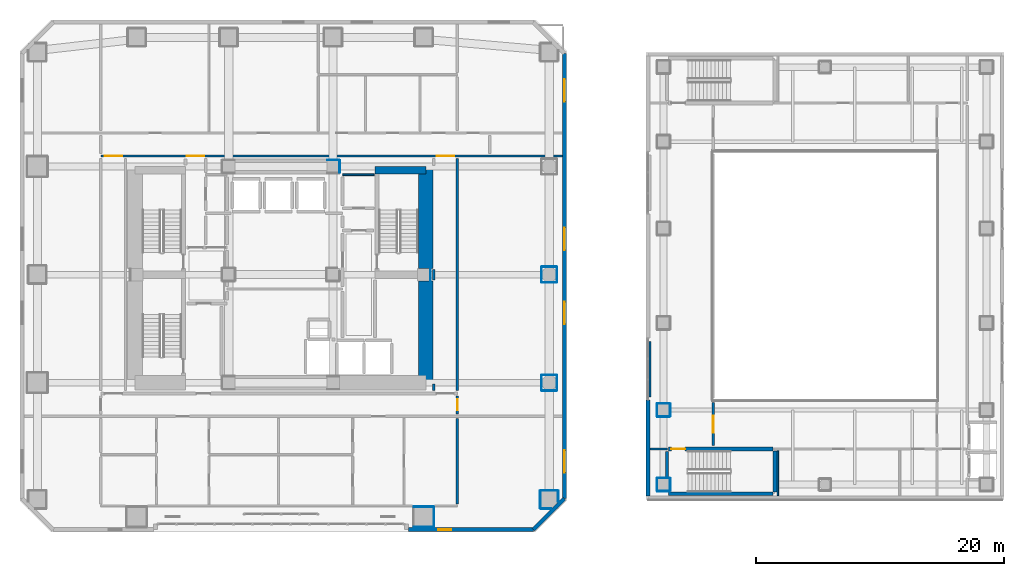
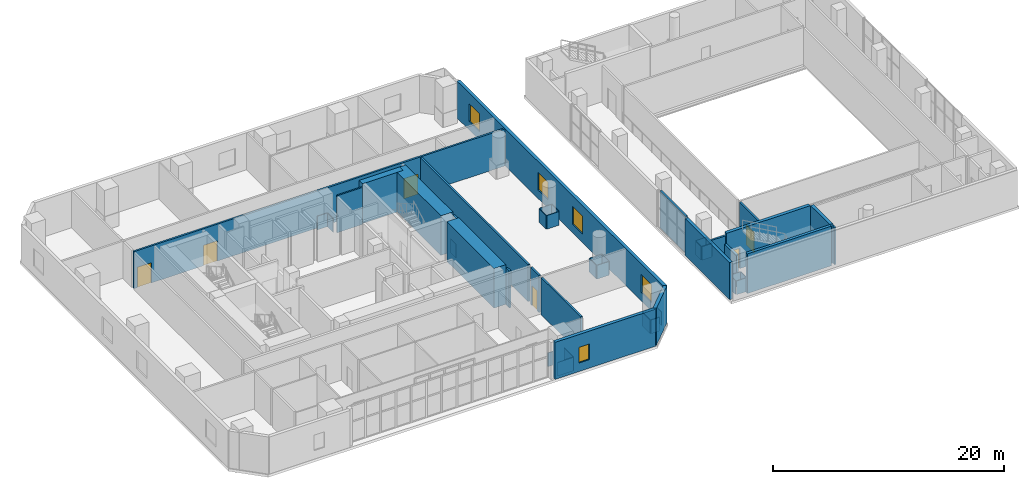
# One storey, part 18 of 24: 48 walls, 6 doors, 5 windows, 11 openings.
"""IFC4 building model written with IfcOpenShell, lengths in metres."""

from ifc_helpers import new_model, si_unit, direction, frame, frame_2d, origin, place, context, subcontext, project, spatial, rectangle, extrude, material, layer, layer_set, type_object, element, fill, save


model = new_model("IFC4")

# Units and contexts
model_context = context("Model", 3, precision=1e-05, world=origin(), true_north=direction((0.0, 1.0)))
body_context = subcontext(model_context, "Body", "Model", "MODEL_VIEW")
ifc_project = project(units=[si_unit("LENGTHUNIT", "METRE"), si_unit("AREAUNIT", "SQUARE_METRE"), si_unit("VOLUMEUNIT", "CUBIC_METRE"), si_unit("PLANEANGLEUNIT", "RADIAN"), si_unit("MASSUNIT", "GRAM", prefix="KILO")], contexts=[model_context])

# Site, building, storey
site_placement = place(None, origin())
site = spatial("IfcSite", under=ifc_project, at=site_placement, CompositionType="ELEMENT")
building_placement = place(site_placement, origin())
building = spatial("IfcBuilding", under=site, at=building_placement, Name="Solanera Arch Residences", CompositionType="ELEMENT")
storey_placement = place(building_placement, frame((0.0, 0.0, 5.199951171875)))
storey = spatial("IfcBuildingStorey", under=building, at=storey_placement, Name="L01", CompositionType="ELEMENT", Elevation=5.199951171875)

# Walls
ifc_material_1 = material(Name="Fire-Rated Gypsum Stud Partition", Category="gypsum")
ifc_layer_1 = layer(ifc_material_1, 0.06005859375)
ifc_layer_set_1 = layer_set([ifc_layer_1], Name="Fire-Rated Gypsum Stud Partition")
wall_type_1 = type_object("IfcWallType", Name="Column Acoustic Furring Wall 60", PredefinedType="PARTITIONING", material=ifc_layer_set_1)
wall_1_placement = place(storey_placement, frame((28.7099609375, 39.931884765625, 0.0), z_axis=(0.0, 0.0, 1.0), x_axis=(1.0, 0.0, 0.0)))
element("IfcWall", 1, at=wall_1_placement, inside=storey, type_object=wall_type_1, Name="L01 Column Furring 4N", PredefinedType="PARTITIONING", context=body_context, shape_type="SweptSolid", body=[
    extrude(rectangle(XDim=0.989990234375, YDim=0.06005859375, at=frame_2d((0.4951171875, 0.0))), origin(), (0.0, 0.0, 1.0), 1.449951171875),
])
wall_2_placement = place(storey_placement, frame((29.73193359375, 38.89990234375, 0.0), z_axis=(0.0, 0.0, 1.0), x_axis=(0.0, 1.0, 0.0)))
element("IfcWall", 2, at=wall_2_placement, inside=storey, type_object=wall_type_1, Name="L01 Column Furring 4E", PredefinedType="PARTITIONING", context=body_context, shape_type="SweptSolid", body=[
    extrude(rectangle(XDim=1.0, YDim=0.06005859375, at=frame_2d((0.5, 0.0))), origin(), (0.0, 0.0, 1.0), 1.449951171875),
])
wall_3_placement = place(storey_placement, frame((37.031982421875, 30.2099609375, 0.0), z_axis=(0.0, 0.0, 1.0), x_axis=(0.0, 1.0, 0.0)))
element("IfcWall", 3, at=wall_3_placement, inside=storey, type_object=wall_type_1, Name="L01 Column Furring 6E", PredefinedType="PARTITIONING", context=body_context, shape_type="SweptSolid", body=[
    extrude(rectangle(XDim=0.97998046875, YDim=0.06005859375, at=frame_2d((0.489990234375, 0.0))), origin(), (0.0, 0.0, 1.0), 1.449951171875),
])
for number, where, z_axis, x_axis, name in (
    (4, (35.699951171875, 10.367919921875, 0.0), (0.0, 0.0, 1.0), (1.0, 0.0, 0.0), "L01 Column Furring 10S"),
    (5, (35.699951171875, 12.031982421875, 0.0), (0.0, 0.0, 1.0), (1.0, 0.0, 0.0), "L01 Column Furring 10N"),
    (6, (37.33203125, 10.39990234375, 0.0), (0.0, 0.0, 1.0), (0.0, 1.0, 0.0), "L01 Column Furring 10E"),
):
    element("IfcWall", number, at=place(storey_placement, frame(where, z_axis=z_axis, x_axis=x_axis)), inside=storey, type_object=wall_type_1, Name=name, PredefinedType="PARTITIONING", context=body_context, shape_type="SweptSolid", body=[
        extrude(rectangle(XDim=1.60009765625, YDim=0.06005859375, at=frame_2d((0.800048828125, 0.0))), origin(), (0.0, 0.0, 1.0), 1.449951171875),
    ])
for number, where, z_axis, x_axis, name in (
    (7, (46.0, 21.367919921875, 0.0), (0.0, 0.0, 1.0), (1.0, 0.0, 0.0), "L01 Column Furring 18S"),
    (8, (46.0, 22.632080078125, 0.0), (0.0, 0.0, 1.0), (1.0, 0.0, 0.0), "L01 Column Furring 18N"),
):
    element("IfcWall", number, at=place(storey_placement, frame(where, z_axis=z_axis, x_axis=x_axis)), inside=storey, type_object=wall_type_1, Name=name, PredefinedType="PARTITIONING", context=body_context, shape_type="SweptSolid", body=[
        extrude(rectangle(XDim=1.199951171875, YDim=0.06005859375, at=frame_2d((0.60009765625, 0.0))), origin(), (0.0, 0.0, 1.0), 1.449951171875),
    ])
for number, where, z_axis, x_axis, name in (
    (9, (45.968017578125, 21.39990234375, 0.0), (0.0, 0.0, 1.0), (0.0, 1.0, 0.0), "L01 Column Furring 18W"),
    (10, (47.23193359375, 21.39990234375, 0.0), (0.0, 0.0, 1.0), (0.0, 1.0, 0.0), "L01 Column Furring 18E"),
):
    element("IfcWall", number, at=place(storey_placement, frame(where, z_axis=z_axis, x_axis=x_axis)), inside=storey, type_object=wall_type_1, Name=name, PredefinedType="PARTITIONING", context=body_context, shape_type="SweptSolid", body=[
        extrude(rectangle(XDim=1.2001953125, YDim=0.06005859375, at=frame_2d((0.60009765625, 0.0))), origin(), (0.0, 0.0, 1.0), 1.449951171875),
    ])
for number, where, z_axis, x_axis, name in (
    (11, (46.0, 30.068115234375, 0.0), (0.0, 0.0, 1.0), (1.0, 0.0, 0.0), "L01 Column Furring 19S"),
    (12, (46.0, 31.33203125, 0.0), (0.0, 0.0, 1.0), (1.0, 0.0, 0.0), "L01 Column Furring 19N"),
    (13, (45.968017578125, 30.10009765625, 0.0), (0.0, 0.0, 1.0), (0.0, 1.0, 0.0), "L01 Column Furring 19W"),
    (14, (47.23193359375, 30.10009765625, 0.0), (0.0, 0.0, 1.0), (0.0, 1.0, 0.0), "L01 Column Furring 19E"),
):
    element("IfcWall", number, at=place(storey_placement, frame(where, z_axis=z_axis, x_axis=x_axis)), inside=storey, type_object=wall_type_1, Name=name, PredefinedType="PARTITIONING", context=body_context, shape_type="SweptSolid", body=[
        extrude(rectangle(XDim=1.199951171875, YDim=0.06005859375, at=frame_2d((0.60009765625, 0.0))), origin(), (0.0, 0.0, 1.0), 1.449951171875),
    ])
wall_4_placement = place(storey_placement, frame((45.89990234375, 11.867919921875, 0.0), z_axis=(0.0, 0.0, 1.0), x_axis=(1.0, 0.0, 0.0)))
element("IfcWall", 15, at=wall_4_placement, inside=storey, type_object=wall_type_1, Name="L01 Column Furring 22S", PredefinedType="PARTITIONING", context=body_context, shape_type="SweptSolid", body=[
    extrude(rectangle(XDim=0.861083984375, YDim=0.06005859375, at=frame_2d((0.4306640625, 0.0))), origin(), (0.0, 0.0, 1.0), 1.449951171875),
])
for number, where, z_axis, x_axis, name in (
    (16, (45.89990234375, 13.33203125, 0.0), (0.0, 0.0, 1.0), (1.0, 0.0, 0.0), "L01 Column Furring 22N"),
    (17, (45.867919921875, 11.89990234375, 0.0), (0.0, 0.0, 1.0), (0.0, 1.0, 0.0), "L01 Column Furring 22W"),
):
    element("IfcWall", number, at=place(storey_placement, frame(where, z_axis=z_axis, x_axis=x_axis)), inside=storey, type_object=wall_type_1, Name=name, PredefinedType="PARTITIONING", context=body_context, shape_type="SweptSolid", body=[
        extrude(rectangle(XDim=1.400146484375, YDim=0.06005859375, at=frame_2d((0.7001953125, 0.0))), origin(), (0.0, 0.0, 1.0), 1.449951171875),
    ])
wall_5_placement = place(storey_placement, frame((47.33203125, 12.43896484375, 0.0), z_axis=(0.0, 0.0, 1.0), x_axis=(0.0, 1.0, 0.0)))
element("IfcWall", 18, at=wall_5_placement, inside=storey, type_object=wall_type_1, Name="L01 Column Furring 22E", PredefinedType="PARTITIONING", context=body_context, shape_type="SweptSolid", body=[
    extrude(rectangle(XDim=0.861083984375, YDim=0.06005859375, at=frame_2d((0.4306640625, 0.0))), origin(), (0.0, 0.0, 1.0), 1.449951171875),
])
for number, where, z_axis, x_axis, name in (
    (19, (55.300048828125, 13.26806640625, 0.0), (0.0, 0.0, 1.0), (1.0, 0.0, 0.0), "L01 Column Furring 25S"),
    (20, (55.300048828125, 14.33203125, 0.0), (0.0, 0.0, 1.0), (1.0, 0.0, 0.0), "L01 Column Furring 25N"),
    (21, (55.26806640625, 13.300048828125, 0.0), (0.0, 0.0, 1.0), (0.0, 1.0, 0.0), "L01 Column Furring 25W"),
    (22, (56.33203125, 13.300048828125, 0.0), (0.0, 0.0, 1.0), (0.0, 1.0, 0.0), "L01 Column Furring 25E"),
    (23, (55.300048828125, 19.26806640625, 0.0), (0.0, 0.0, 1.0), (1.0, 0.0, 0.0), "L01 Column Furring 26S"),
    (24, (55.300048828125, 20.33203125, 0.0), (0.0, 0.0, 1.0), (1.0, 0.0, 0.0), "L01 Column Furring 26N"),
    (25, (55.26806640625, 19.300048828125, 0.0), (0.0, 0.0, 1.0), (0.0, 1.0, 0.0), "L01 Column Furring 26W"),
    (26, (56.33203125, 19.300048828125, 0.0), (0.0, 0.0, 1.0), (0.0, 1.0, 0.0), "L01 Column Furring 26E"),
):
    element("IfcWall", number, at=place(storey_placement, frame(where, z_axis=z_axis, x_axis=x_axis)), inside=storey, type_object=wall_type_1, Name=name, PredefinedType="PARTITIONING", context=body_context, shape_type="SweptSolid", body=[
        extrude(rectangle(XDim=1.0, YDim=0.06005859375, at=frame_2d((0.5, 0.0))), origin(), (0.0, 0.0, 1.0), 1.449951171875),
    ])
ifc_material_2 = material(Name="Concrete C55/67 (f'c = 60 MPa)", Category="concrete")
ifc_layer_2 = layer(ifc_material_2, 1.199951171875)
ifc_layer_set_2 = layer_set([ifc_layer_2], Name="Concrete C55/67 (f'c = 60 MPa)")
wall_type_2 = type_object("IfcWallType", Name="Core Shear Wall CW-1200", PredefinedType="SHEAR", material=ifc_layer_set_2)
wall_6_placement = place(storey_placement, frame((36.659912109375, 22.0, 0.0), z_axis=(0.0, 0.0, 1.0), x_axis=(0.0, 1.0, 0.0)))
element("IfcWall", 27, at=wall_6_placement, inside=storey, type_object=wall_type_2, Name="L01 East Core South Shear Wall", PredefinedType="SHEAR", context=body_context, shape_type="SweptSolid", body=[
    extrude(rectangle(XDim=8.195068359375, YDim=1.199951171875, at=frame_2d((4.09765625, 0.0))), origin(), (0.0, 0.0, 1.0), 4.199951171875),
])
wall_7_placement = place(storey_placement, frame((36.659912109375, 31.205078125, 0.0), z_axis=(0.0, 0.0, 1.0), x_axis=(0.0, 1.0, 0.0)))
element("IfcWall", 28, at=wall_7_placement, inside=storey, type_object=wall_type_2, Name="L01 East Core North Shear Wall", PredefinedType="SHEAR", context=body_context, shape_type="SweptSolid", body=[
    extrude(rectangle(XDim=8.19482421875, YDim=1.199951171875, at=frame_2d((4.097412109375, 0.0))), origin(), (0.0, 0.0, 1.0), 4.199951171875),
])
ifc_material_3 = material(Name="Concrete C40/50 (f'c = 45 MPa)", Category="concrete")
ifc_layer_3 = layer(ifc_material_3, 0.320068359375)
ifc_layer_set_3 = layer_set([ifc_layer_3], Name="Concrete C40/50 (f'c = 45 MPa)")
wall_type_3 = type_object("IfcWallType", Name="Core Shear Wall CW-320", PredefinedType="SHEAR", material=ifc_layer_set_3)
wall_8_placement = place(storey_placement, frame((64.760009765625, 13.199951171875, 0.0), z_axis=(0.0, 0.0, 1.0), x_axis=(0.0, 1.0, 0.0)))
element("IfcWall", 29, at=wall_8_placement, inside=storey, type_object=wall_type_3, Name="L01 Stair ST-H1 East Shear Wall", PredefinedType="SHEAR", context=body_context, shape_type="SweptSolid", body=[
    extrude(rectangle(XDim=3.320068359375, YDim=0.320068359375, at=frame_2d((1.66015625, 0.0))), origin(), (0.0, 0.0, 1.0), 4.199951171875),
])
wall_9_placement = place(storey_placement, frame((56.199951171875, 13.06005859375, 0.0), z_axis=(0.0, 0.0, 1.0), x_axis=(1.0, 0.0, 0.0)))
element("IfcWall", 30, at=wall_9_placement, inside=storey, type_object=wall_type_3, Name="L01 Stair ST-H1 South Shear Wall", PredefinedType="SHEAR", context=body_context, shape_type="SweptSolid", body=[
    extrude(rectangle(XDim=8.400146484375, YDim=0.280029296875, at=frame_2d((4.2001953125, 0.0))), origin(), (0.0, 0.0, 1.0), 4.199951171875),
])

# Wall, opening, door
wall_10_placement = place(storey_placement, frame((56.199951171875, 16.679931640625, 0.0), z_axis=(0.0, 0.0, 1.0), x_axis=(1.0, 0.0, 0.0)))
wall_10 = element("IfcWall", 31, at=wall_10_placement, inside=storey, type_object=wall_type_3, Name="L01 Stair ST-H1 North Shear Wall", PredefinedType="SHEAR", context=body_context, shape_type="SweptSolid", body=[
    extrude(rectangle(XDim=8.400146484375, YDim=0.320068359375, at=frame_2d((4.2001953125, 0.0))), origin(), (0.0, 0.0, 1.0), 4.199951171875),
])
opening_1_placement = place(wall_10_placement, frame((0.22998046875, 0.0, 0.0)))
opening_1 = element("IfcOpeningElement", 32, at=opening_1_placement, cuts=wall_10, Name="Opening DF-01", PredefinedType="OPENING", context=body_context, shape_type="SweptSolid", body=[
    extrude(rectangle(XDim=1.10009765625, YDim=2.14990234375, at=frame_2d((0.550048828125, 1.074951171875))), frame((0.0, 0.169921875, 0.0), z_axis=(0.0, -1.0, 0.0), x_axis=(1.0, 0.0, 0.0)), (0.0, 0.0, 1.0), 0.3401),
])
ifc_material_4 = material(Name="Fire-Rated Architectural Hardwood", Category="wood")
door_type_1 = type_object("IfcDoorType", Name="Stair Exit Fire Door DF-01", OperationType="NOTDEFINED", PredefinedType="DOOR", material=ifc_material_4)
door_1_placement = place(opening_1_placement, origin())
door_1 = element("IfcDoor", 33, at=door_1_placement, inside=storey, type_object=door_type_1, Name="DR-L01-STAIR-ST-H1", OperationType="SINGLE_SWING_LEFT", OverallHeight=2.14990234375, OverallWidth=1.10009765625, PredefinedType="DOOR", context=body_context, shape_type="SweptSolid", body=[
    extrude(rectangle(XDim=1.10009765625, YDim=2.14990234375, at=frame_2d((0.550048828125, 1.074951171875))), frame((0.0, 0.02490234375, 0.0), z_axis=(0.0, -1.0, 0.0), x_axis=(1.0, 0.0, 0.0)), (0.0, 0.0, 1.0), 0.050048828125),
])
fill(opening_1, door_1)

# Walls
ifc_material_5 = material(Name="Concrete C40/50 (f'c = 45 MPa)", Category="concrete")
ifc_layer_4 = layer(ifc_material_5, 0.60009765625)
ifc_layer_set_4 = layer_set([ifc_layer_4], Name="Concrete C40/50 (f'c = 45 MPa)")
wall_type_4 = type_object("IfcWallType", Name="Core Shear Wall CW-600", PredefinedType="SHEAR", material=ifc_layer_set_4)
wall_11_placement = place(storey_placement, frame((32.580078125, 39.10009765625, 0.0), z_axis=(0.0, 0.0, 1.0), x_axis=(1.0, 0.0, 0.0)))
element("IfcWall", 34, at=wall_11_placement, inside=storey, type_object=wall_type_4, Name="L01 North-East Core Shear Wall", PredefinedType="SHEAR", context=body_context, shape_type="SweptSolid", body=[
    extrude(rectangle(XDim=4.079833984375, YDim=0.60009765625, at=frame_2d((2.0400390625, 0.0))), origin(), (0.0, 0.0, 1.0), 4.199951171875),
])
ifc_material_6 = material(Name="Autoclaved Aerated Concrete Blockwork", Category="masonry")
ifc_layer_5 = layer(ifc_material_6, 0.179931640625)
ifc_layer_set_5 = layer_set([ifc_layer_5], Name="Autoclaved Aerated Concrete Blockwork")
wall_type_5 = type_object("IfcWallType", Name="Corridor Fire Partition 180", PredefinedType="PARTITIONING", material=ifc_layer_set_5)
wall_12_placement = place(storey_placement, frame((54.7119140625, 16.679931640625, 0.0), z_axis=(0.0, 0.0, 1.0), x_axis=(1.0, 0.0, 0.0)))
element("IfcWall", 35, at=wall_12_placement, inside=storey, type_object=wall_type_5, Name="L01 Interior Partition H8 1", PredefinedType="PARTITIONING", context=body_context, shape_type="SweptSolid", body=[
    extrude(rectangle(XDim=1.38818359375, YDim=0.179931640625, at=frame_2d((0.694091796875, 0.0))), origin(), (0.0, 0.0, 1.0), 3.920166015625),
])

# Wall, openings, doors
wall_13_placement = place(storey_placement, frame((10.5, 40.25, 0.0), z_axis=(0.0, 0.0, 1.0), x_axis=(1.0, 0.0, 0.0)))
wall_13 = element("IfcWall", 36, at=wall_13_placement, inside=storey, type_object=wall_type_5, Name="L01 Interior Partition H13", PredefinedType="PARTITIONING", context=body_context, shape_type="SweptSolid", body=[
    extrude(rectangle(XDim=37.14794921875, YDim=0.179931640625, at=frame_2d((18.573974609375, 0.0))), origin(), (0.0, 0.0, 1.0), 3.920166015625),
])
opening_2_placement = place(wall_13_placement, frame((6.93505859375, 0.0, 0.0)))
opening_2 = element("IfcOpeningElement", 37, at=opening_2_placement, cuts=wall_13, Name="Opening DF-03", PredefinedType="OPENING", context=body_context, shape_type="SweptSolid", body=[
    extrude(rectangle(XDim=1.39990234375, YDim=2.14990234375, at=frame_2d((0.699951171875, 1.074951171875))), frame((0.0, 0.10009765625, 0.0), z_axis=(0.0, -1.0, 0.0), x_axis=(1.0, 0.0, 0.0)), (0.0, 0.0, 1.0), 0.1999),
])
opening_3_placement = place(wall_13_placement, frame((0.323974609375, 0.0, 0.0)))
opening_3 = element("IfcOpeningElement", 38, at=opening_3_placement, cuts=wall_13, Name="Opening DF-03", PredefinedType="OPENING", context=body_context, shape_type="SweptSolid", body=[
    extrude(rectangle(XDim=1.39990234375, YDim=2.14990234375, at=frame_2d((0.699951171875, 1.074951171875))), frame((0.0, 0.10009765625, 0.0), z_axis=(0.0, -1.0, 0.0), x_axis=(1.0, 0.0, 0.0)), (0.0, 0.0, 1.0), 0.1999),
])
opening_4_placement = place(wall_13_placement, frame((27.050048828125, 0.0, 0.0)))
opening_4 = element("IfcOpeningElement", 39, at=opening_4_placement, cuts=wall_13, Name="Opening DF-03", PredefinedType="OPENING", context=body_context, shape_type="SweptSolid", body=[
    extrude(rectangle(XDim=1.39990234375, YDim=2.14990234375, at=frame_2d((0.699951171875, 1.074951171875))), frame((0.0, 0.10009765625, 0.0), z_axis=(0.0, -1.0, 0.0), x_axis=(1.0, 0.0, 0.0)), (0.0, 0.0, 1.0), 0.1999),
])
ifc_material_7 = material(Name="Fire-Rated Architectural Hardwood", Category="wood")
door_type_2 = type_object("IfcDoorType", Name="Corridor Smoke Door DF-03", OperationType="NOTDEFINED", PredefinedType="DOOR", material=ifc_material_7)
door_2_placement = place(opening_2_placement, origin())
door_2 = element("IfcDoor", 40, at=door_2_placement, inside=storey, type_object=door_type_2, Name="DR-L01-IN-013", OperationType="SINGLE_SWING_RIGHT", OverallHeight=2.14990234375, OverallWidth=1.39990234375, PredefinedType="DOOR", context=body_context, shape_type="SweptSolid", body=[
    extrude(rectangle(XDim=1.39990234375, YDim=2.14990234375, at=frame_2d((0.699951171875, 1.074951171875))), frame((0.0, 0.02490234375, 0.0), z_axis=(0.0, -1.0, 0.0), x_axis=(1.0, 0.0, 0.0)), (0.0, 0.0, 1.0), 0.050048828125),
])
fill(opening_2, door_2)
door_3_placement = place(opening_3_placement, origin())
door_3 = element("IfcDoor", 41, at=door_3_placement, inside=storey, type_object=door_type_2, Name="DR-L01-IN-016", OperationType="SINGLE_SWING_LEFT", OverallHeight=2.14990234375, OverallWidth=1.39990234375, PredefinedType="DOOR", context=body_context, shape_type="SweptSolid", body=[
    extrude(rectangle(XDim=1.39990234375, YDim=2.14990234375, at=frame_2d((0.699951171875, 1.074951171875))), frame((0.0, 0.02490234375, 0.0), z_axis=(0.0, -1.0, 0.0), x_axis=(1.0, 0.0, 0.0)), (0.0, 0.0, 1.0), 0.050048828125),
])
fill(opening_3, door_3)
door_4_placement = place(opening_4_placement, origin())
door_4 = element("IfcDoor", 42, at=door_4_placement, inside=storey, type_object=door_type_2, Name="DR-L01-IN-017", OperationType="SINGLE_SWING_RIGHT", OverallHeight=2.14990234375, OverallWidth=1.39990234375, PredefinedType="DOOR", context=body_context, shape_type="SweptSolid", body=[
    extrude(rectangle(XDim=1.39990234375, YDim=2.14990234375, at=frame_2d((0.699951171875, 1.074951171875))), frame((0.0, 0.02490234375, 0.0), z_axis=(0.0, -1.0, 0.0), x_axis=(1.0, 0.0, 0.0)), (0.0, 0.0, 1.0), 0.050048828125),
])
fill(opening_4, door_4)

# Walls
wall_14_placement = place(storey_placement, frame((37.300048828125, 21.367919921875, 0.0), z_axis=(0.0, 0.0, 1.0), x_axis=(0.0, 1.0, 0.0)))
element("IfcWall", 43, at=wall_14_placement, inside=storey, type_object=wall_type_5, Name="L01 Interior Partition V9 1", PredefinedType="PARTITIONING", context=body_context, shape_type="SweptSolid", body=[
    extrude(rectangle(XDim=0.5400390625, YDim=0.179931640625, at=frame_2d((0.27001953125, 0.0))), origin(), (0.0, 0.0, 1.0), 3.920166015625),
])
wall_15_placement = place(storey_placement, frame((37.300048828125, 30.287109375, 0.0), z_axis=(0.0, 0.0, 1.0), x_axis=(0.0, 1.0, 0.0)))
element("IfcWall", 44, at=wall_15_placement, inside=storey, type_object=wall_type_5, Name="L01 Interior Partition V9 2", PredefinedType="PARTITIONING", context=body_context, shape_type="SweptSolid", body=[
    extrude(rectangle(XDim=0.825927734375, YDim=0.179931640625, at=frame_2d((0.4130859375, 0.0))), origin(), (0.0, 0.0, 1.0), 3.920166015625),
])
wall_16_placement = place(storey_placement, frame((39.199951171875, 12.258056640625, 0.0), z_axis=(0.0, 0.0, 1.0), x_axis=(0.0, 1.0, 0.0)))
element("IfcWall", 45, at=wall_16_placement, inside=storey, type_object=wall_type_5, Name="L01 Interior Partition V10 1", PredefinedType="PARTITIONING", context=body_context, shape_type="SweptSolid", body=[
    extrude(rectangle(XDim=6.85400390625, YDim=0.179931640625, at=frame_2d((3.427001953125, 0.0))), origin(), (0.0, 0.0, 1.0), 3.920166015625),
])

# Wall, opening, door
wall_17_placement = place(storey_placement, frame((39.199951171875, 19.488037109375, 0.0), z_axis=(0.0, 0.0, 1.0), x_axis=(0.0, 1.0, 0.0)))
wall_17 = element("IfcWall", 46, at=wall_17_placement, inside=storey, type_object=wall_type_5, Name="L01 Interior Partition V10 2", PredefinedType="PARTITIONING", context=body_context, shape_type="SweptSolid", body=[
    extrude(rectangle(XDim=1.44384765625, YDim=0.179931640625, at=frame_2d((0.721923828125, 0.0))), origin(), (0.0, 0.0, 1.0), 3.920166015625),
])
opening_5_placement = place(wall_17_placement, frame((0.301025390625, 0.0, 0.0)))
opening_5 = element("IfcOpeningElement", 47, at=opening_5_placement, cuts=wall_17, Name="Opening DI-02", PredefinedType="OPENING", context=body_context, shape_type="SweptSolid", body=[
    extrude(rectangle(XDim=0.89990234375, YDim=2.10009765625, at=frame_2d((0.449951171875, 1.050048828125))), frame((0.0, 0.10009765625, 0.0), z_axis=(0.0, -1.0, 0.0), x_axis=(1.0, 0.0, 0.0)), (0.0, 0.0, 1.0), 0.1999),
])
ifc_material_8 = material(Name="Fire-Rated Architectural Hardwood", Category="wood")
door_type_3 = type_object("IfcDoorType", Name="Suite Room Swing Door DI-02", OperationType="NOTDEFINED", PredefinedType="DOOR", material=ifc_material_8)
door_5_placement = place(opening_5_placement, origin())
door_5 = element("IfcDoor", 48, at=door_5_placement, inside=storey, type_object=door_type_3, Name="DR-L01-IN-029", OperationType="SINGLE_SWING_RIGHT", OverallHeight=2.10009765625, OverallWidth=0.89990234375, PredefinedType="DOOR", context=body_context, shape_type="SweptSolid", body=[
    extrude(rectangle(XDim=0.89990234375, YDim=2.10009765625, at=frame_2d((0.449951171875, 1.050048828125))), frame((0.0, 0.02490234375, 0.0), z_axis=(0.0, -1.0, 0.0), x_axis=(1.0, 0.0, 0.0)), (0.0, 0.0, 1.0), 0.050048828125),
])
fill(opening_5, door_5)

# Walls
wall_18_placement = place(storey_placement, frame((39.199951171875, 21.367919921875, 0.0), z_axis=(0.0, 0.0, 1.0), x_axis=(0.0, 1.0, 0.0)))
element("IfcWall", 49, at=wall_18_placement, inside=storey, type_object=wall_type_5, Name="L01 Interior Partition V10 3", PredefinedType="PARTITIONING", context=body_context, shape_type="SweptSolid", body=[
    extrude(rectangle(XDim=18.694091796875, YDim=0.179931640625, at=frame_2d((9.34716796875, 0.0))), origin(), (0.0, 0.0, 1.0), 3.920166015625),
])
wall_19_placement = place(storey_placement, frame((54.699951171875, 20.8701171875, 0.0), z_axis=(0.0, 0.0, 1.0), x_axis=(0.0, 1.0, 0.0)))
element("IfcWall", 50, at=wall_19_placement, inside=storey, type_object=wall_type_5, Name="L01 Interior Partition V13 1", PredefinedType="PARTITIONING", context=body_context, shape_type="SweptSolid", body=[
    extrude(rectangle(XDim=4.4599609375, YDim=0.179931640625, at=frame_2d((2.22998046875, 0.0))), origin(), (0.0, 0.0, 1.0), 3.920166015625),
])

# Wall, opening, door
wall_20_placement = place(storey_placement, frame((59.800048828125, 16.93994140625, 0.0), z_axis=(0.0, 0.0, 1.0), x_axis=(0.0, 1.0, 0.0)))
wall_20 = element("IfcWall", 51, at=wall_20_placement, inside=storey, type_object=wall_type_5, Name="L01 Interior Partition V14 1", PredefinedType="PARTITIONING", context=body_context, shape_type="SweptSolid", body=[
    extrude(rectangle(XDim=3.47216796875, YDim=0.179931640625, at=frame_2d((1.736083984375, 0.0))), origin(), (0.0, 0.0, 1.0), 3.920166015625),
])
opening_6_placement = place(wall_20_placement, frame((1.02392578125, 0.0, 0.0)))
opening_6 = element("IfcOpeningElement", 52, at=opening_6_placement, cuts=wall_20, Name="Opening DF-03", PredefinedType="OPENING", context=body_context, shape_type="SweptSolid", body=[
    extrude(rectangle(XDim=1.39990234375, YDim=2.14990234375, at=frame_2d((0.699951171875, 1.074951171875))), frame((0.0, 0.10009765625, 0.0), z_axis=(0.0, -1.0, 0.0), x_axis=(1.0, 0.0, 0.0)), (0.0, 0.0, 1.0), 0.1999),
])
door_6_placement = place(opening_6_placement, origin())
door_6 = element("IfcDoor", 53, at=door_6_placement, inside=storey, type_object=door_type_2, Name="DR-L01-IN-018", OperationType="SINGLE_SWING_LEFT", OverallHeight=2.14990234375, OverallWidth=1.39990234375, PredefinedType="DOOR", context=body_context, shape_type="SweptSolid", body=[
    extrude(rectangle(XDim=1.39990234375, YDim=2.14990234375, at=frame_2d((0.699951171875, 1.074951171875))), frame((0.0, 0.02490234375, 0.0), z_axis=(0.0, -1.0, 0.0), x_axis=(1.0, 0.0, 0.0)), (0.0, 0.0, 1.0), 0.050048828125),
])
fill(opening_6, door_6)

# Wall
ifc_material_9 = material(Name="Precast Concrete C35/45", Category="concrete")
ifc_layer_6 = layer(ifc_material_9, 0.300048828125)
ifc_layer_set_6 = layer_set([ifc_layer_6], Name="Precast Concrete C35/45")
wall_type_6 = type_object("IfcWallType", Name="Exterior Wall Precast Masonry-Frame 300", PredefinedType="STANDARD", material=ifc_layer_set_6)
wall_21_placement = place(storey_placement, frame((54.550048828125, 12.89990234375, 0.0), z_axis=(0.0, 0.0, 1.0), x_axis=(0.0, 1.0, 0.0)))
element("IfcWall", 54, at=wall_21_placement, inside=storey, type_object=wall_type_6, Name="L01 Sports Hall West Pier 1", PredefinedType="STANDARD", context=body_context, shape_type="SweptSolid", body=[
    extrude(rectangle(XDim=7.7001953125, YDim=0.300048828125, at=frame_2d((3.85009765625, 0.0))), origin(), (0.0, 0.0, 1.0), 3.920166015625),
])

# Wall, openings, windows
ifc_material_10 = material(Name="Precast Concrete C35/45", Category="concrete")
ifc_layer_7 = layer(ifc_material_10, 0.320068359375)
ifc_layer_set_7 = layer_set([ifc_layer_7], Name="Precast Concrete C35/45")
wall_type_7 = type_object("IfcWallType", Name="Exterior Wall Precast Masonry-Frame 320", PredefinedType="STANDARD", material=ifc_layer_set_7)
wall_22_placement = place(storey_placement, frame((47.820068359375, 48.52001953125, 0.0), z_axis=(0.0, 0.0, 1.0), x_axis=(0.0, -1.0, 0.0)))
wall_22 = element("IfcWall", 55, at=wall_22_placement, inside=storey, type_object=wall_type_7, Name="L01 Podium Precast Masonry-Frame Wall 5", PredefinedType="STANDARD", context=body_context, shape_type="SweptSolid", body=[
    extrude(rectangle(XDim=35.840087890625, YDim=0.320068359375, at=frame_2d((17.919921875, 0.0))), origin(), (0.0, 0.0, 1.0), 3.920166015625),
])
opening_7_placement = place(wall_22_placement, frame((2.0869140625, 0.0, 0.89990234375)))
opening_7 = element("IfcOpeningElement", 56, at=opening_7_placement, cuts=wall_22, Name="Opening W-03", PredefinedType="OPENING", context=body_context, shape_type="SweptSolid", body=[
    extrude(rectangle(XDim=1.800048828125, YDim=1.89990234375, at=frame_2d((0.89990234375, 0.949951171875))), frame((0.0, 0.169921875, 0.0), z_axis=(0.0, -1.0, 0.0), x_axis=(1.0, 0.0, 0.0)), (0.0, 0.0, 1.0), 0.3401),
])
opening_8_placement = place(wall_22_placement, frame((14.032958984375, 0.0, 0.89990234375)))
opening_8 = element("IfcOpeningElement", 57, at=opening_8_placement, cuts=wall_22, Name="Opening W-03", PredefinedType="OPENING", context=body_context, shape_type="SweptSolid", body=[
    extrude(rectangle(XDim=1.800048828125, YDim=1.89990234375, at=frame_2d((0.89990234375, 0.949951171875))), frame((0.0, 0.169921875, 0.0), z_axis=(0.0, -1.0, 0.0), x_axis=(1.0, 0.0, 0.0)), (0.0, 0.0, 1.0), 0.3401),
])
opening_9_placement = place(wall_22_placement, frame((20.007080078125, 0.0, 0.89990234375)))
opening_9 = element("IfcOpeningElement", 58, at=opening_9_placement, cuts=wall_22, Name="Opening W-03", PredefinedType="OPENING", context=body_context, shape_type="SweptSolid", body=[
    extrude(rectangle(XDim=1.800048828125, YDim=1.89990234375, at=frame_2d((0.89990234375, 0.949951171875))), frame((0.0, 0.169921875, 0.0), z_axis=(0.0, -1.0, 0.0), x_axis=(1.0, 0.0, 0.0)), (0.0, 0.0, 1.0), 0.3401),
])
opening_10_placement = place(wall_22_placement, frame((31.952880859375, 0.0, 0.89990234375)))
opening_10 = element("IfcOpeningElement", 59, at=opening_10_placement, cuts=wall_22, Name="Opening W-03", PredefinedType="OPENING", context=body_context, shape_type="SweptSolid", body=[
    extrude(rectangle(XDim=1.800048828125, YDim=1.89990234375, at=frame_2d((0.89990234375, 0.949951171875))), frame((0.0, 0.169921875, 0.0), z_axis=(0.0, -1.0, 0.0), x_axis=(1.0, 0.0, 0.0)), (0.0, 0.0, 1.0), 0.3401),
])
ifc_material_11 = material(Name="Double Glazed Low-E Laminated Glass", Category="glass")
window_type_1 = type_object("IfcWindowType", Name="Punched Window W-03", PartitioningType="DOUBLE_PANEL_VERTICAL", PredefinedType="WINDOW", material=ifc_material_11)
window_1_placement = place(opening_7_placement, origin())
window_1 = element("IfcWindow", 60, at=window_1_placement, inside=storey, type_object=window_type_1, Name="L01 Podium Window 5.1", OverallHeight=1.89990234375, OverallWidth=1.800048828125, PartitioningType="SINGLE_PANEL", PredefinedType="WINDOW", context=body_context, shape_type="SweptSolid", body=[
    extrude(rectangle(XDim=1.800048828125, YDim=1.89990234375, at=frame_2d((0.89990234375, 0.949951171875))), frame((0.0, 0.030029296875, 0.0), z_axis=(0.0, -1.0, 0.0), x_axis=(1.0, 0.0, 0.0)), (0.0, 0.0, 1.0), 0.06005859375),
])
fill(opening_7, window_1)
window_2_placement = place(opening_8_placement, origin())
window_2 = element("IfcWindow", 61, at=window_2_placement, inside=storey, type_object=window_type_1, Name="L01 Podium Window 5.3", OverallHeight=1.89990234375, OverallWidth=1.800048828125, PartitioningType="SINGLE_PANEL", PredefinedType="WINDOW", context=body_context, shape_type="SweptSolid", body=[
    extrude(rectangle(XDim=1.800048828125, YDim=1.89990234375, at=frame_2d((0.89990234375, 0.949951171875))), frame((0.0, 0.030029296875, 0.0), z_axis=(0.0, -1.0, 0.0), x_axis=(1.0, 0.0, 0.0)), (0.0, 0.0, 1.0), 0.06005859375),
])
fill(opening_8, window_2)
window_3_placement = place(opening_9_placement, origin())
window_3 = element("IfcWindow", 62, at=window_3_placement, inside=storey, type_object=window_type_1, Name="L01 Podium Window 5.4", OverallHeight=1.89990234375, OverallWidth=1.800048828125, PartitioningType="SINGLE_PANEL", PredefinedType="WINDOW", context=body_context, shape_type="SweptSolid", body=[
    extrude(rectangle(XDim=1.800048828125, YDim=1.89990234375, at=frame_2d((0.89990234375, 0.949951171875))), frame((0.0, 0.030029296875, 0.0), z_axis=(0.0, -1.0, 0.0), x_axis=(1.0, 0.0, 0.0)), (0.0, 0.0, 1.0), 0.06005859375),
])
fill(opening_9, window_3)
window_4_placement = place(opening_10_placement, origin())
window_4 = element("IfcWindow", 63, at=window_4_placement, inside=storey, type_object=window_type_1, Name="L01 Podium Window 5.6", OverallHeight=1.89990234375, OverallWidth=1.800048828125, PartitioningType="SINGLE_PANEL", PredefinedType="WINDOW", context=body_context, shape_type="SweptSolid", body=[
    extrude(rectangle(XDim=1.800048828125, YDim=1.89990234375, at=frame_2d((0.89990234375, 0.949951171875))), frame((0.0, 0.030029296875, 0.0), z_axis=(0.0, -1.0, 0.0), x_axis=(1.0, 0.0, 0.0)), (0.0, 0.0, 1.0), 0.06005859375),
])
fill(opening_10, window_4)

# Wall
wall_23_placement = place(storey_placement, frame((47.820068359375, 12.679931640625, 0.0), z_axis=(0.0, 0.0, 1.0), x_axis=(-0.707106781187, -0.707106781187, 0.0)))
element("IfcWall", 64, at=wall_23_placement, inside=storey, type_object=wall_type_7, Name="L01 Podium Precast Masonry-Frame Wall 6", PredefinedType="STANDARD", context=body_context, shape_type="SweptSolid", body=[
    extrude(rectangle(XDim=3.53564453125, YDim=0.320068359375, at=frame_2d((1.767822265625, 0.0))), origin(), (0.0, 0.0, 1.0), 3.920166015625),
])

# Wall, opening, window
wall_24_placement = place(storey_placement, frame((45.320068359375, 10.179931640625, 0.0), z_axis=(0.0, 0.0, 1.0), x_axis=(-1.0, 0.0, 0.0)))
wall_24 = element("IfcWall", 65, at=wall_24_placement, inside=storey, type_object=wall_type_7, Name="L01 Podium South-East Precast Pier Wall", PredefinedType="STANDARD", context=body_context, shape_type="SweptSolid", body=[
    extrude(rectangle(XDim=10.06005859375, YDim=0.320068359375, at=frame_2d((5.030029296875, 0.0))), origin(), (0.0, 0.0, 1.0), 3.920166015625),
])
opening_11_placement = place(wall_24_placement, frame((6.6201171875, 0.0, 0.89990234375)))
opening_11 = element("IfcOpeningElement", 66, at=opening_11_placement, cuts=wall_24, Name="Opening W-07", PredefinedType="OPENING", context=body_context, shape_type="SweptSolid", body=[
    extrude(rectangle(XDim=1.050048828125, YDim=1.64990234375, at=frame_2d((0.52490234375, 0.824951171875))), frame((0.0, 0.169921875, 0.0), z_axis=(0.0, -1.0, 0.0), x_axis=(1.0, 0.0, 0.0)), (0.0, 0.0, 1.0), 0.3401),
])
ifc_material_12 = material(Name="Double Glazed Low-E Laminated Glass", Category="glass")
window_type_2 = type_object("IfcWindowType", Name="Punched Window W-07", PartitioningType="SINGLE_PANEL", PredefinedType="WINDOW", material=ifc_material_12)
window_5_placement = place(opening_11_placement, origin())
window_5 = element("IfcWindow", 67, at=window_5_placement, inside=storey, type_object=window_type_2, Name="L01 Podium South-East Bedroom Window", OverallHeight=1.64990234375, OverallWidth=1.050048828125, PartitioningType="SINGLE_PANEL", PredefinedType="WINDOW", context=body_context, shape_type="SweptSolid", body=[
    extrude(rectangle(XDim=1.050048828125, YDim=1.64990234375, at=frame_2d((0.52490234375, 0.824951171875))), frame((0.0, 0.030029296875, 0.0), z_axis=(0.0, -1.0, 0.0), x_axis=(1.0, 0.0, 0.0)), (0.0, 0.0, 1.0), 0.06005859375),
])
fill(opening_11, window_5)

# Walls
ifc_material_13 = material(Name="Autoclaved Aerated Concrete Blockwork", Category="masonry")
ifc_layer_8 = layer(ifc_material_13, 0.239990234375)
ifc_layer_set_8 = layer_set([ifc_layer_8], Name="Autoclaved Aerated Concrete Blockwork")
wall_type_8 = type_object("IfcWallType", Name="Shaft Wall Fire-Rated 240", PredefinedType="PARTITIONING", material=ifc_layer_set_8)
wall_25_placement = place(storey_placement, frame((56.080078125, 14.431884765625, 0.0), z_axis=(0.0, 0.0, 1.0), x_axis=(0.0, 1.0, 0.0)))
element("IfcWall", 68, at=wall_25_placement, inside=storey, type_object=wall_type_8, Name="L01 Stair ST-H1 West Wall", PredefinedType="PARTITIONING", context=body_context, shape_type="SweptSolid", body=[
    extrude(rectangle(XDim=2.0380859375, YDim=0.239990234375, at=frame_2d((1.01904296875, 0.0))), origin(), (0.0, 0.0, 1.0), 3.155029296875),
])
ifc_material_14 = material(Name="Fire-Rated Gypsum Stud Partition", Category="gypsum")
ifc_layer_9 = layer(ifc_material_14, 0.1201171875)
ifc_layer_set_9 = layer_set([ifc_layer_9], Name="Fire-Rated Gypsum Stud Partition")
wall_type_9 = type_object("IfcWallType", Name="Unit Drywall Partition 120", PredefinedType="PARTITIONING", material=ifc_layer_set_9)
wall_26_placement = place(storey_placement, frame((65.0, 12.912109375, 0.0), z_axis=(0.0, 0.0, 1.0), x_axis=(0.0, 1.0, 0.0)))
element("IfcWall", 69, at=wall_26_placement, inside=storey, type_object=wall_type_9, Name="L01 Interior Partition V31", PredefinedType="PARTITIONING", context=body_context, shape_type="SweptSolid", body=[
    extrude(rectangle(XDim=3.60986328125, YDim=0.1201171875, at=frame_2d((1.804931640625, 0.0))), origin(), (0.0, 0.0, 1.0), 3.920166015625),
])
ifc_material_15 = material(Name="Autoclaved Aerated Concrete Blockwork", Category="masonry")
ifc_layer_10 = layer(ifc_material_15, 0.139892578125)
ifc_layer_set_10 = layer_set([ifc_layer_10], Name="Autoclaved Aerated Concrete Blockwork")
wall_type_10 = type_object("IfcWallType", Name="Wet-Room Partition 140", PredefinedType="PARTITIONING", material=ifc_layer_set_10)
wall_27_placement = place(storey_placement, frame((29.97509765625, 38.75, 0.0), z_axis=(0.0, 0.0, 1.0), x_axis=(1.0, 0.0, 0.0)))
element("IfcWall", 70, at=wall_27_placement, inside=storey, type_object=wall_type_10, Name="L01 Interior Partition H20", PredefinedType="PARTITIONING", context=body_context, shape_type="SweptSolid", body=[
    extrude(rectangle(XDim=2.52490234375, YDim=0.139892578125, at=frame_2d((1.262451171875, 0.0))), origin(), (0.0, 0.0, 1.0), 3.920166015625),
])

save(model, "model.ifc")
